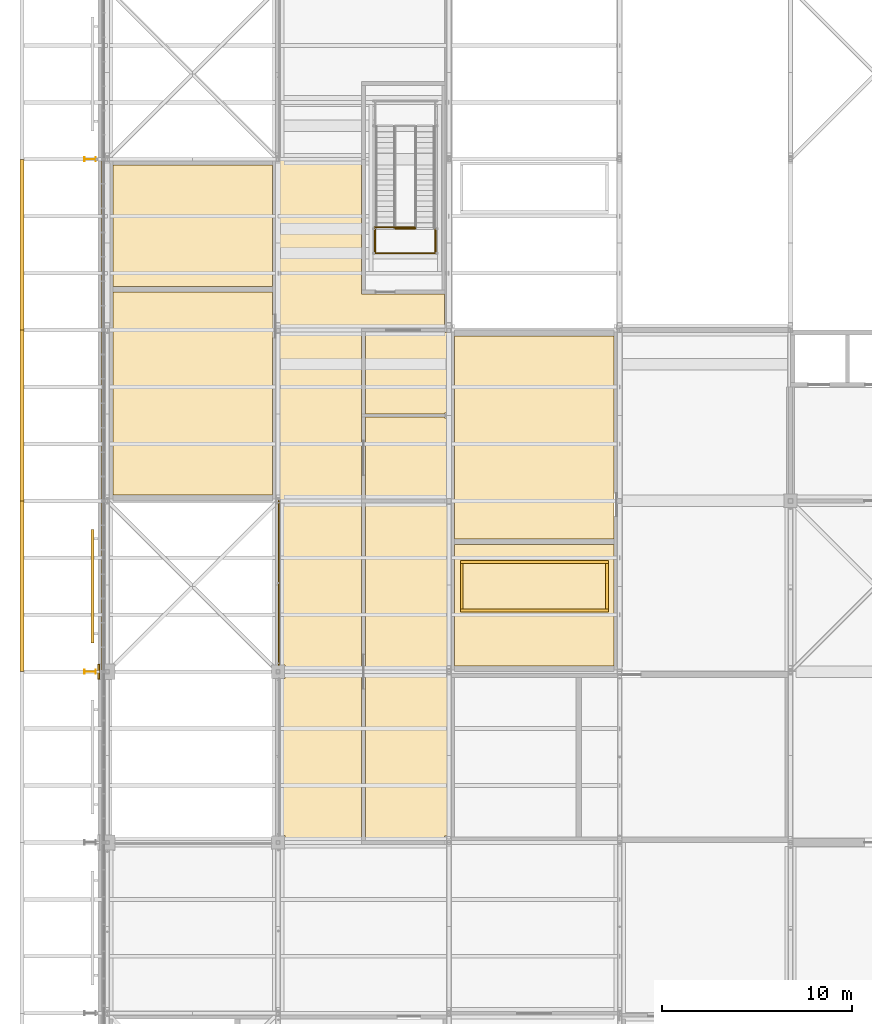
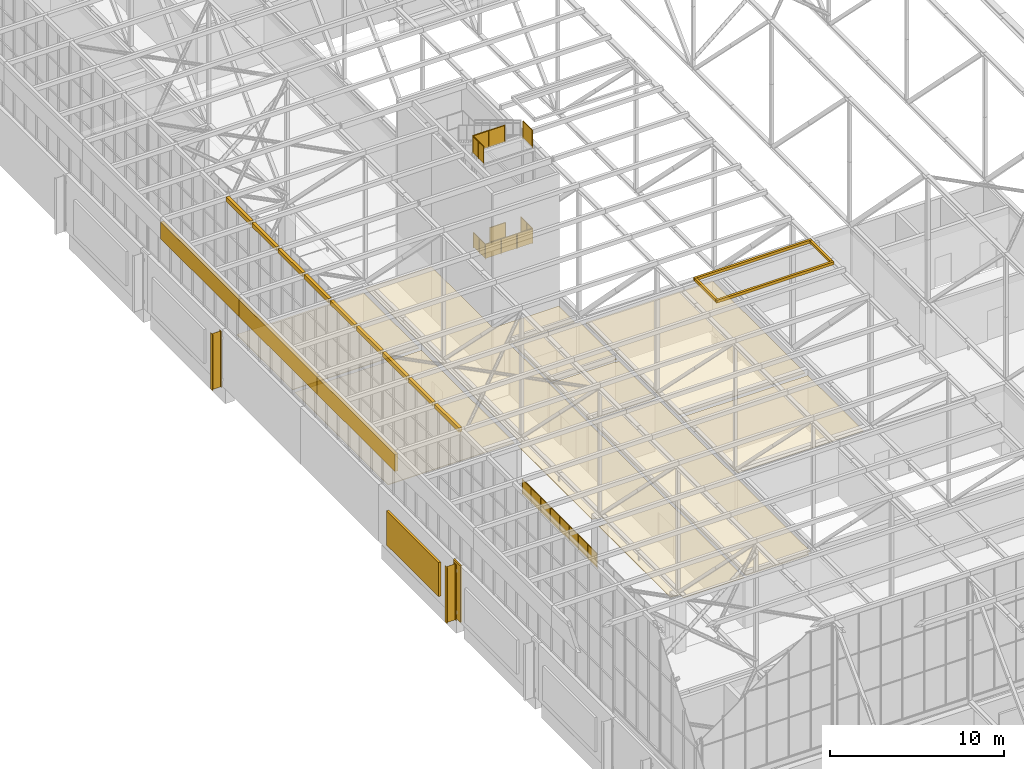
# One storey, part 630 of 646: 25 coverings, 5 railings, 3 shading devices.
"""IFC4 building model written with IfcOpenShell, lengths in metres."""

from ifc_helpers import new_model, si_unit, direction, frame, origin, origin_2d, place, context, subcontext, project, spatial, polyline, rectangle, circle, i_section, outline, extrude, material, layer, layer_set, material_profile, profile_set, type_object, element, save


model = new_model("IFC4")

# Units and contexts
model_context = context("Model", 3, precision=1e-05, world=origin(), true_north=direction((0.0, 1.0)))
body_context = subcontext(model_context, "Body", "Model", "MODEL_VIEW")
ifc_project = project(units=[si_unit("LENGTHUNIT", "METRE"), si_unit("AREAUNIT", "SQUARE_METRE"), si_unit("VOLUMEUNIT", "CUBIC_METRE"), si_unit("PLANEANGLEUNIT", "RADIAN"), si_unit("MASSUNIT", "GRAM", prefix="KILO")], contexts=[model_context])

# Site, building, storey
site_placement = place(None, origin())
site = spatial("IfcSite", under=ifc_project, at=site_placement, CompositionType="ELEMENT")
building_placement = place(site_placement, origin())
building = spatial("IfcBuilding", under=site, at=building_placement, Name="Silverbay Arena", CompositionType="ELEMENT")
storey_placement = place(building_placement, frame((0.0, 0.0, 33.5)))
storey = spatial("IfcBuildingStorey", under=building, at=storey_placement, Name="L05", CompositionType="ELEMENT", Elevation=33.5)

# Covering
ifc_material_1 = material(Name="Aluminium composite cladding", Category="aluminium")
ifc_layer_1 = layer(ifc_material_1, 0.10009765625)
ifc_layer_set_1 = layer_set([ifc_layer_1], Name="Aluminium composite cladding")
covering_type_1 = type_object("IfcCoveringType", Name="Column cladding 100", PredefinedType="CLADDING", material=ifc_layer_set_1)
covering_1_placement = place(storey_placement, origin())
element("IfcCovering", 1, at=covering_1_placement, inside=storey, type_object=covering_type_1, Name="West column cladding L05 7", PredefinedType="CLADDING", context=body_context, shape_type="SweptSolid", body=[
    extrude(outline(polyline([(53.5, 44.60009765625), (53.60009765625, 44.60009765625), (53.60009765625, 45.39990234375), (53.5, 45.39990234375), (53.5, 44.60009765625)])), origin(), (0.0, 0.0, 1.0), 4.0),
])

# Railings
ifc_material_2 = material(Name="Stainless steel", Category="steel")
railing_type_1 = type_object("IfcRailingType", Name="Fascia-mounted guard 1250 overall", PredefinedType="GUARDRAIL", material=ifc_material_2)
railing_1_placement = place(storey_placement, frame((68.0791015625, 67.14990234375, 13.449951171875)))
element("IfcRailing", 2, at=railing_1_placement, inside=storey, type_object=railing_type_1, Name="Stair RA1 L05 to ROOF landing 4 fascia guard", PredefinedType="GUARDRAIL", context=body_context, shape_type="SweptSolid", body=[
    extrude(circle(Radius=0.02392578125, at=origin_2d()), frame((0.0, 0.0, 1.22607421875), z_axis=(0.0, 1.0, 0.0), x_axis=(-1.0, 0.0, 0.0)), (0.0, 0.0, 1.0), 1.27099609375),
    extrude(outline(polyline([(-0.008056640625, 0.050048828125), (0.6435546875, 0.050048828125), (0.6435546875, 1.202880859375), (-0.008056640625, 1.202880859375), (-0.008056640625, 0.050048828125)])), frame((-0.0029296875, 0.0, 0.0), z_axis=(1.0, 0.0, 0.0), x_axis=(0.0, 1.0, 0.0)), (0.0, 0.0, 1.0), 0.006103515625),
    extrude(outline(polyline([(-0.008056640625, 0.050048828125), (0.6435546875, 0.050048828125), (0.6435546875, 1.202880859375), (-0.008056640625, 1.202880859375), (-0.008056640625, 0.050048828125)])), frame((-0.0029296875, 0.635498046875, 0.0), z_axis=(1.0, 0.0, 0.0), x_axis=(0.0, 1.0, 0.0)), (0.0, 0.0, 1.0), 0.006103515625),
    extrude(circle(Radius=0.02392578125, at=origin_2d()), frame((0.0, 1.27099609375, 1.22607421875), z_axis=(1.0, 0.0, 0.0), x_axis=(0.0, 1.0, 0.0)), (0.0, 0.0, 1.0), 2.14599609375),
    extrude(outline(polyline([(-0.008056640625, 0.050048828125), (1.0810546875, 0.050048828125), (1.0810546875, 1.202880859375), (-0.008056640625, 1.202880859375), (-0.008056640625, 0.050048828125)])), frame((0.0, 1.27392578125, 0.0), z_axis=(0.0, -1.0, 0.0), x_axis=(1.0, 0.0, 0.0)), (0.0, 0.0, 1.0), 0.006103515625),
    extrude(outline(polyline([(-0.008056640625, 0.050048828125), (1.0810546875, 0.050048828125), (1.0810546875, 1.202880859375), (-0.008056640625, 1.202880859375), (-0.008056640625, 0.050048828125)])), frame((1.072998046875, 1.27392578125, 0.0), z_axis=(0.0, -1.0, 0.0), x_axis=(1.0, 0.0, 0.0)), (0.0, 0.0, 1.0), 0.006103515625),
    extrude(circle(Radius=0.02099609375, at=origin_2d()), origin(), (0.0, 0.0, 1.0), 1.201904296875),
    extrude(circle(Radius=0.02099609375, at=origin_2d()), frame((0.0, 0.635498046875, 0.0)), (0.0, 0.0, 1.0), 1.201904296875),
    extrude(circle(Radius=0.02099609375, at=origin_2d()), frame((0.0, 1.27099609375, 0.0)), (0.0, 0.0, 1.0), 1.201904296875),
    extrude(circle(Radius=0.02099609375, at=origin_2d()), frame((1.072998046875, 1.27099609375, 0.0)), (0.0, 0.0, 1.0), 1.201904296875),
    extrude(circle(Radius=0.02099609375, at=origin_2d()), frame((2.14599609375, 1.27099609375, 0.0)), (0.0, 0.0, 1.0), 1.201904296875),
])
railing_2_placement = place(storey_placement, frame((71.321044921875, 68.25, 13.449951171875)))
element("IfcRailing", 3, at=railing_2_placement, inside=storey, type_object=railing_type_1, Name="Stair RA1 L05 to ROOF landing 4 fascia guard", PredefinedType="GUARDRAIL", context=body_context, shape_type="SweptSolid", body=[
    extrude(circle(Radius=0.02392578125, at=origin_2d()), frame((0.0, 0.0, 1.22607421875), z_axis=(0.0, -1.0, 0.0), x_axis=(1.0, 0.0, 0.0)), (0.0, 0.0, 1.0), 1.10009765625),
    extrude(outline(polyline([(-0.008056640625, 0.050048828125), (1.108154296875, 0.050048828125), (1.108154296875, 1.202880859375), (-0.008056640625, 1.202880859375), (-0.008056640625, 0.050048828125)])), frame((0.0029296875, 0.0, 0.0), z_axis=(-1.0, 0.0, 0.0), x_axis=(0.0, -1.0, 0.0)), (0.0, 0.0, 1.0), 0.006103515625),
    extrude(circle(Radius=0.02099609375, at=origin_2d()), origin(), (0.0, 0.0, 1.0), 1.201904296875),
    extrude(circle(Radius=0.02099609375, at=origin_2d()), frame((0.0, -1.10009765625, 0.0)), (0.0, 0.0, 1.0), 1.201904296875),
])

# Coverings
ifc_material_3 = material(Name="Fire-resisting board ceiling")
ifc_layer_2 = layer(ifc_material_3, 0.050048828125)
ifc_layer_set_2 = layer_set([ifc_layer_2], Name="Fire-resisting board ceiling")
covering_type_2 = type_object("IfcCoveringType", Name="Fire-resisting ceiling EI 120", PredefinedType="CEILING", material=ifc_layer_set_2)
covering_2_placement = place(storey_placement, frame((0.0, 0.0, 3.5)))
element("IfcCovering", 4, at=covering_2_placement, inside=storey, type_object=covering_type_2, Name="Fire-resisting ceiling 07", PredefinedType="CEILING", context=body_context, shape_type="SweptSolid", body=[
    extrude(outline(polyline([(62.72998046875, 44.590087890625), (62.72998046875, 36.409912109375), (62.97998046875, 36.409912109375), (62.97998046875, 36.360107421875), (63.360107421875, 36.360107421875), (63.360107421875, 35.97998046875), (67.39990234375, 35.97998046875), (67.39990234375, 63.074951171875), (71.77001953125, 63.074951171875), (71.77001953125, 64.89990234375), (67.39990234375, 64.89990234375), (67.39990234375, 72.02001953125), (63.030029296875, 72.02001953125), (63.030029296875, 53.969970703125), (62.97998046875, 53.969970703125), (62.97998046875, 53.93994140625), (62.72998046875, 53.93994140625), (62.72998046875, 45.409912109375), (62.97998046875, 45.409912109375), (62.97998046875, 45.360107421875), (63.360107421875, 45.360107421875), (63.360107421875, 44.639892578125), (62.97998046875, 44.639892578125), (62.97998046875, 44.590087890625), (62.72998046875, 44.590087890625)])), origin(), (0.0, 0.0, 1.0), 0.050048828125),
])
covering_3_placement = place(storey_placement, frame((0.0, 0.0, 3.5)))
element("IfcCovering", 5, at=covering_3_placement, inside=storey, type_object=covering_type_2, Name="Fire-resisting ceiling 23", PredefinedType="CEILING", context=body_context, shape_type="SweptSolid", body=[
    extrude(outline(polyline([(71.77001953125, 36.35205078125), (72.0, 36.35205078125), (72.0, 53.840087890625), (71.77001953125, 53.840087890625), (71.77001953125, 53.89990234375), (67.60009765625, 53.89990234375), (67.60009765625, 36.10009765625), (71.77001953125, 36.10009765625), (71.77001953125, 36.35205078125)])), origin(), (0.0, 0.0, 1.0), 0.050048828125),
])
covering_4_placement = place(storey_placement, frame((0.0, 0.0, 3.5)))
element("IfcCovering", 6, at=covering_4_placement, inside=storey, type_object=covering_type_2, Name="Fire-resisting ceiling 24", PredefinedType="CEILING", context=body_context, shape_type="SweptSolid", body=[
    extrude(outline(polyline([(71.77001953125, 54.159912109375), (72.0, 54.159912109375), (72.0, 58.364990234375), (71.77001953125, 58.364990234375), (71.77001953125, 58.425048828125), (67.60009765625, 58.425048828125), (67.60009765625, 54.10009765625), (71.77001953125, 54.10009765625), (71.77001953125, 54.159912109375)])), origin(), (0.0, 0.0, 1.0), 0.050048828125),
])
covering_5_placement = place(storey_placement, frame((0.0, 0.0, 3.5)))
element("IfcCovering", 7, at=covering_5_placement, inside=storey, type_object=covering_type_2, Name="Fire-resisting ceiling 25", PredefinedType="CEILING", context=body_context, shape_type="SweptSolid", body=[
    extrude(outline(polyline([(71.77001953125, 58.635009765625), (72.0, 58.635009765625), (72.0, 62.864990234375), (71.77001953125, 62.864990234375), (71.77001953125, 62.925048828125), (67.60009765625, 62.925048828125), (67.60009765625, 58.574951171875), (71.77001953125, 58.574951171875), (71.77001953125, 58.635009765625)])), origin(), (0.0, 0.0, 1.0), 0.050048828125),
])
covering_6_placement = place(storey_placement, frame((0.0, 0.0, 3.5)))
element("IfcCovering", 8, at=covering_6_placement, inside=storey, type_object=covering_type_2, Name="Fire-resisting ceiling 61", PredefinedType="CEILING", context=body_context, shape_type="SweptSolid", body=[
    extrude(outline(polyline([(54.300048828125, 54.300048828125), (62.699951171875, 54.300048828125), (62.699951171875, 65.0), (54.300048828125, 65.0), (54.300048828125, 54.300048828125)])), origin(), (0.0, 0.0, 1.0), 0.050048828125),
])
covering_7_placement = place(storey_placement, frame((0.0, 0.0, 3.5)))
element("IfcCovering", 9, at=covering_7_placement, inside=storey, type_object=covering_type_2, Name="Fire-resisting ceiling 62", PredefinedType="CEILING", context=body_context, shape_type="SweptSolid", body=[
    extrude(outline(polyline([(54.300048828125, 65.300048828125), (62.699951171875, 65.300048828125), (62.699951171875, 71.699951171875), (54.300048828125, 71.699951171875), (54.300048828125, 65.300048828125)])), origin(), (0.0, 0.0, 1.0), 0.050048828125),
])
covering_8_placement = place(storey_placement, frame((0.0, 0.0, 3.5)))
element("IfcCovering", 10, at=covering_8_placement, inside=storey, type_object=covering_type_2, Name="Fire-resisting ceiling 71", PredefinedType="CEILING", context=body_context, shape_type="SweptSolid", body=[
    extrude(outline(polyline([(80.699951171875, 52.0), (80.699951171875, 62.699951171875), (72.300048828125, 62.699951171875), (72.300048828125, 52.0), (80.699951171875, 52.0)])), origin(), (0.0, 0.0, 1.0), 0.050048828125),
])
covering_9_placement = place(storey_placement, frame((0.0, 0.0, 3.5)))
element("IfcCovering", 11, at=covering_9_placement, inside=storey, type_object=covering_type_2, Name="Fire-resisting ceiling 72", PredefinedType="CEILING", context=body_context, shape_type="SweptSolid", body=[
    extrude(outline(polyline([(80.699951171875, 45.300048828125), (80.699951171875, 51.699951171875), (72.300048828125, 51.699951171875), (72.300048828125, 45.300048828125), (80.699951171875, 45.300048828125)])), origin(), (0.0, 0.0, 1.0), 0.050048828125),
])
ifc_material_4 = material(Name="Insulated metal cladding panel")
ifc_layer_3 = layer(ifc_material_4, 0.199951171875)
ifc_layer_set_3 = layer_set([ifc_layer_3], Name="Insulated metal cladding panel")
covering_type_3 = type_object("IfcCoveringType", Name="Gable head closer 200", PredefinedType="CLADDING", material=ifc_layer_set_3)
covering_10_placement = place(storey_placement, frame((0.0, 0.0, 13.0)))
element("IfcCovering", 12, at=covering_10_placement, inside=storey, type_object=covering_type_3, Name="ROOF GABLE HEAD CLOSER west 13", PredefinedType="CLADDING", context=body_context, shape_type="SweptSolid", body=[
    extrude(outline(polyline([(53.68994140625, 45.10009765625), (53.889892578125, 45.10009765625), (53.889892578125, 47.89990234375), (53.68994140625, 47.89990234375), (53.68994140625, 45.10009765625)])), origin(), (0.0, 0.0, 1.0), 0.300048828125),
])
covering_11_placement = place(storey_placement, frame((0.0, 0.0, 13.0)))
element("IfcCovering", 13, at=covering_11_placement, inside=storey, type_object=covering_type_3, Name="ROOF GABLE HEAD CLOSER west 14", PredefinedType="CLADDING", context=body_context, shape_type="SweptSolid", body=[
    extrude(outline(polyline([(53.68994140625, 48.10009765625), (53.889892578125, 48.10009765625), (53.889892578125, 50.89990234375), (53.68994140625, 50.89990234375), (53.68994140625, 48.10009765625)])), origin(), (0.0, 0.0, 1.0), 0.300048828125),
])
covering_12_placement = place(storey_placement, frame((0.0, 0.0, 13.0)))
element("IfcCovering", 14, at=covering_12_placement, inside=storey, type_object=covering_type_3, Name="ROOF GABLE HEAD CLOSER west 15", PredefinedType="CLADDING", context=body_context, shape_type="SweptSolid", body=[
    extrude(outline(polyline([(53.68994140625, 51.10009765625), (53.889892578125, 51.10009765625), (53.889892578125, 53.89990234375), (53.68994140625, 53.89990234375), (53.68994140625, 51.10009765625)])), origin(), (0.0, 0.0, 1.0), 0.300048828125),
])
covering_13_placement = place(storey_placement, frame((0.0, 0.0, 13.0)))
element("IfcCovering", 15, at=covering_13_placement, inside=storey, type_object=covering_type_3, Name="ROOF GABLE HEAD CLOSER west 16", PredefinedType="CLADDING", context=body_context, shape_type="SweptSolid", body=[
    extrude(outline(polyline([(53.68994140625, 54.10009765625), (53.889892578125, 54.10009765625), (53.889892578125, 56.89990234375), (53.68994140625, 56.89990234375), (53.68994140625, 54.10009765625)])), origin(), (0.0, 0.0, 1.0), 0.300048828125),
])
covering_14_placement = place(storey_placement, frame((0.0, 0.0, 13.0)))
element("IfcCovering", 16, at=covering_14_placement, inside=storey, type_object=covering_type_3, Name="ROOF GABLE HEAD CLOSER west 17", PredefinedType="CLADDING", context=body_context, shape_type="SweptSolid", body=[
    extrude(outline(polyline([(53.68994140625, 57.10009765625), (53.889892578125, 57.10009765625), (53.889892578125, 59.89990234375), (53.68994140625, 59.89990234375), (53.68994140625, 57.10009765625)])), origin(), (0.0, 0.0, 1.0), 0.300048828125),
])
covering_15_placement = place(storey_placement, frame((0.0, 0.0, 13.0)))
element("IfcCovering", 17, at=covering_15_placement, inside=storey, type_object=covering_type_3, Name="ROOF GABLE HEAD CLOSER west 18", PredefinedType="CLADDING", context=body_context, shape_type="SweptSolid", body=[
    extrude(outline(polyline([(53.68994140625, 60.10009765625), (53.889892578125, 60.10009765625), (53.889892578125, 62.89990234375), (53.68994140625, 62.89990234375), (53.68994140625, 60.10009765625)])), origin(), (0.0, 0.0, 1.0), 0.300048828125),
])
covering_16_placement = place(storey_placement, frame((0.0, 0.0, 13.0)))
element("IfcCovering", 18, at=covering_16_placement, inside=storey, type_object=covering_type_3, Name="ROOF GABLE HEAD CLOSER west 19", PredefinedType="CLADDING", context=body_context, shape_type="SweptSolid", body=[
    extrude(outline(polyline([(53.68994140625, 63.10009765625), (53.889892578125, 63.10009765625), (53.889892578125, 65.89990234375), (53.68994140625, 65.89990234375), (53.68994140625, 63.10009765625)])), origin(), (0.0, 0.0, 1.0), 0.300048828125),
])
covering_17_placement = place(storey_placement, frame((0.0, 0.0, 13.0)))
element("IfcCovering", 19, at=covering_17_placement, inside=storey, type_object=covering_type_3, Name="ROOF GABLE HEAD CLOSER west 20", PredefinedType="CLADDING", context=body_context, shape_type="SweptSolid", body=[
    extrude(outline(polyline([(53.68994140625, 66.10009765625), (53.889892578125, 66.10009765625), (53.889892578125, 68.89990234375), (53.68994140625, 68.89990234375), (53.68994140625, 66.10009765625)])), origin(), (0.0, 0.0, 1.0), 0.300048828125),
])
covering_18_placement = place(storey_placement, frame((0.0, 0.0, 13.0)))
element("IfcCovering", 20, at=covering_18_placement, inside=storey, type_object=covering_type_3, Name="ROOF GABLE HEAD CLOSER west 21", PredefinedType="CLADDING", context=body_context, shape_type="SweptSolid", body=[
    extrude(outline(polyline([(53.68994140625, 69.10009765625), (53.889892578125, 69.10009765625), (53.889892578125, 71.89990234375), (53.68994140625, 71.89990234375), (53.68994140625, 69.10009765625)])), origin(), (0.0, 0.0, 1.0), 0.300048828125),
])

# Shading device
ifc_material_5 = material(Name="Aluminium", Category="aluminium")
shading_device_type_1 = type_object("IfcShadingDeviceType", Name="Louvre screen 6000 x 2400", PredefinedType="JALOUSIE", material=ifc_material_5)
shading_device_placement = place(storey_placement, frame((53.22509765625, 49.5, 0.800048828125), z_axis=(0.0, 0.0, 1.0), x_axis=(0.0, 1.0, 0.0)))
element("IfcShadingDevice", 21, at=shading_device_placement, inside=storey, type_object=shading_device_type_1, Name="West plant louvre L05 bay 4", PredefinedType="JALOUSIE", context=body_context, shape_type="SweptSolid", body=[
    extrude(rectangle(XDim=6.0, YDim=0.14990234375, at=origin_2d()), origin(), (0.0, 0.0, 1.0), 2.39990234375),
])

# Railing
ifc_material_6 = material(Name="Stainless steel", Category="steel")
railing_type_2 = type_object("IfcRailingType", Name="Opening guard 1100", PredefinedType="GUARDRAIL", material=ifc_material_6)
railing_3_placement = place(storey_placement, frame((63.0400390625, 45.35009765625, 0.0)))
element("IfcRailing", 22, at=railing_3_placement, inside=storey, type_object=railing_type_2, Name="Opening guard L05 end gallery W-inner edge", PredefinedType="GUARDRAIL", context=body_context, shape_type="SweptSolid", body=[
    extrude(circle(Radius=0.02392578125, at=origin_2d()), frame((0.0, 0.0, 1.076171875), z_axis=(0.0, 1.0, 0.0), x_axis=(-1.0, 0.0, 0.0)), (0.0, 0.0, 1.0), 8.64990234375),
    extrude(outline(polyline([(-0.008056640625, 0.050048828125), (1.08935546875, 0.050048828125), (1.08935546875, 1.052978515625), (-0.008056640625, 1.052978515625), (-0.008056640625, 0.050048828125)])), frame((-0.0029296875, 0.0, 0.0), z_axis=(1.0, 0.0, 0.0), x_axis=(0.0, 1.0, 0.0)), (0.0, 0.0, 1.0), 0.006103515625),
    extrude(outline(polyline([(-0.008056640625, 0.050048828125), (1.08935546875, 0.050048828125), (1.08935546875, 1.052978515625), (-0.008056640625, 1.052978515625), (-0.008056640625, 0.050048828125)])), frame((-0.0029296875, 1.081298828125, 0.0), z_axis=(1.0, 0.0, 0.0), x_axis=(0.0, 1.0, 0.0)), (0.0, 0.0, 1.0), 0.006103515625),
    extrude(outline(polyline([(-0.008056640625, 0.050048828125), (1.08935546875, 0.050048828125), (1.08935546875, 1.052978515625), (-0.008056640625, 1.052978515625), (-0.008056640625, 0.050048828125)])), frame((-0.0029296875, 2.16259765625, 0.0), z_axis=(1.0, 0.0, 0.0), x_axis=(0.0, 1.0, 0.0)), (0.0, 0.0, 1.0), 0.006103515625),
    extrude(outline(polyline([(-0.008056640625, 0.050048828125), (1.08935546875, 0.050048828125), (1.08935546875, 1.052978515625), (-0.008056640625, 1.052978515625), (-0.008056640625, 0.050048828125)])), frame((-0.0029296875, 3.24365234375, 0.0), z_axis=(1.0, 0.0, 0.0), x_axis=(0.0, 1.0, 0.0)), (0.0, 0.0, 1.0), 0.006103515625),
    extrude(outline(polyline([(-0.008056640625, 0.050048828125), (1.08935546875, 0.050048828125), (1.08935546875, 1.052978515625), (-0.008056640625, 1.052978515625), (-0.008056640625, 0.050048828125)])), frame((-0.0029296875, 4.324951171875, 0.0), z_axis=(1.0, 0.0, 0.0), x_axis=(0.0, 1.0, 0.0)), (0.0, 0.0, 1.0), 0.006103515625),
    extrude(outline(polyline([(-0.008056640625, 0.050048828125), (1.08935546875, 0.050048828125), (1.08935546875, 1.052978515625), (-0.008056640625, 1.052978515625), (-0.008056640625, 0.050048828125)])), frame((-0.0029296875, 5.40625, 0.0), z_axis=(1.0, 0.0, 0.0), x_axis=(0.0, 1.0, 0.0)), (0.0, 0.0, 1.0), 0.006103515625),
    extrude(outline(polyline([(-0.008056640625, 0.050048828125), (1.08935546875, 0.050048828125), (1.08935546875, 1.052978515625), (-0.008056640625, 1.052978515625), (-0.008056640625, 0.050048828125)])), frame((-0.0029296875, 6.4873046875, 0.0), z_axis=(1.0, 0.0, 0.0), x_axis=(0.0, 1.0, 0.0)), (0.0, 0.0, 1.0), 0.006103515625),
    extrude(outline(polyline([(-0.008056640625, 0.050048828125), (1.08935546875, 0.050048828125), (1.08935546875, 1.052978515625), (-0.008056640625, 1.052978515625), (-0.008056640625, 0.050048828125)])), frame((-0.0029296875, 7.568603515625, 0.0), z_axis=(1.0, 0.0, 0.0), x_axis=(0.0, 1.0, 0.0)), (0.0, 0.0, 1.0), 0.006103515625),
    extrude(circle(Radius=0.02099609375, at=origin_2d()), origin(), (0.0, 0.0, 1.0), 1.052001953125),
    extrude(circle(Radius=0.02099609375, at=origin_2d()), frame((0.0, 1.081298828125, 0.0)), (0.0, 0.0, 1.0), 1.052001953125),
    extrude(circle(Radius=0.02099609375, at=origin_2d()), frame((0.0, 2.16259765625, 0.0)), (0.0, 0.0, 1.0), 1.052001953125),
    extrude(circle(Radius=0.02099609375, at=origin_2d()), frame((0.0, 3.24365234375, 0.0)), (0.0, 0.0, 1.0), 1.052001953125),
    extrude(circle(Radius=0.02099609375, at=origin_2d()), frame((0.0, 4.324951171875, 0.0)), (0.0, 0.0, 1.0), 1.052001953125),
    extrude(circle(Radius=0.02099609375, at=origin_2d()), frame((0.0, 5.40625, 0.0)), (0.0, 0.0, 1.0), 1.052001953125),
    extrude(circle(Radius=0.02099609375, at=origin_2d()), frame((0.0, 6.4873046875, 0.0)), (0.0, 0.0, 1.0), 1.052001953125),
    extrude(circle(Radius=0.02099609375, at=origin_2d()), frame((0.0, 7.568603515625, 0.0)), (0.0, 0.0, 1.0), 1.052001953125),
    extrude(circle(Radius=0.02099609375, at=origin_2d()), frame((0.0, 8.64990234375, 0.0)), (0.0, 0.0, 1.0), 1.052001953125),
])

# Coverings
ifc_material_7 = material(Name="Insulated metal cladding panel")
ifc_layer_4 = layer(ifc_material_7, 0.199951171875)
ifc_layer_set_4 = layer_set([ifc_layer_4], Name="Insulated metal cladding panel")
covering_type_4 = type_object("IfcCoveringType", Name="Roof edge fascia 200", PredefinedType="CLADDING", material=ifc_layer_set_4)
covering_19_placement = place(storey_placement, frame((0.0, 0.0, 11.800048828125)))
element("IfcCovering", 23, at=covering_19_placement, inside=storey, type_object=covering_type_4, Name="ROOF EDGE FASCIA west bay 05", PredefinedType="CLADDING", context=body_context, shape_type="SweptSolid", body=[
    extrude(outline(polyline([(49.39990234375, 45.0), (49.60009765625, 45.0), (49.60009765625, 54.0), (49.39990234375, 54.0), (49.39990234375, 45.0)])), origin(), (0.0, 0.0, 1.0), 1.199951171875),
])
covering_20_placement = place(storey_placement, frame((0.0, 0.0, 11.800048828125)))
element("IfcCovering", 24, at=covering_20_placement, inside=storey, type_object=covering_type_4, Name="ROOF EDGE FASCIA west bay 06", PredefinedType="CLADDING", context=body_context, shape_type="SweptSolid", body=[
    extrude(outline(polyline([(49.39990234375, 54.0), (49.60009765625, 54.0), (49.60009765625, 63.0), (49.39990234375, 63.0), (49.39990234375, 54.0)])), origin(), (0.0, 0.0, 1.0), 1.199951171875),
])
covering_21_placement = place(storey_placement, frame((0.0, 0.0, 11.800048828125)))
element("IfcCovering", 25, at=covering_21_placement, inside=storey, type_object=covering_type_4, Name="ROOF EDGE FASCIA west bay 07", PredefinedType="CLADDING", context=body_context, shape_type="SweptSolid", body=[
    extrude(outline(polyline([(49.39990234375, 63.0), (49.60009765625, 63.0), (49.60009765625, 72.0), (49.39990234375, 72.0), (49.39990234375, 63.0)])), origin(), (0.0, 0.0, 1.0), 1.199951171875),
])
ifc_material_8 = material(Name="Insulated metal curb")
ifc_layer_5 = layer(ifc_material_8, 0.14990234375)
ifc_layer_set_5 = layer_set([ifc_layer_5], Name="Insulated metal curb")
covering_type_5 = type_object("IfcCoveringType", Name="Roof light curb 150", PredefinedType="CLADDING", material=ifc_layer_set_5)
covering_22_placement = place(storey_placement, frame((0.0, 0.0, 13.60009765625)))
element("IfcCovering", 26, at=covering_22_placement, inside=storey, type_object=covering_type_5, Name="ROOF LIGHT CURB 01 S", PredefinedType="CLADDING", context=body_context, shape_type="SweptSolid", body=[
    extrude(outline(polyline([(72.60009765625, 48.14990234375), (80.39990234375, 48.14990234375), (80.39990234375, 48.300048828125), (72.60009765625, 48.300048828125), (72.60009765625, 48.14990234375)])), origin(), (0.0, 0.0, 1.0), 0.199951171875),
])
covering_23_placement = place(storey_placement, frame((0.0, 0.0, 13.60009765625)))
element("IfcCovering", 27, at=covering_23_placement, inside=storey, type_object=covering_type_5, Name="ROOF LIGHT CURB 01 N", PredefinedType="CLADDING", context=body_context, shape_type="SweptSolid", body=[
    extrude(outline(polyline([(72.60009765625, 50.699951171875), (80.39990234375, 50.699951171875), (80.39990234375, 50.85009765625), (72.60009765625, 50.85009765625), (72.60009765625, 50.699951171875)])), origin(), (0.0, 0.0, 1.0), 0.199951171875),
])
covering_24_placement = place(storey_placement, frame((0.0, 0.0, 13.60009765625)))
element("IfcCovering", 28, at=covering_24_placement, inside=storey, type_object=covering_type_5, Name="ROOF LIGHT CURB 01 W", PredefinedType="CLADDING", context=body_context, shape_type="SweptSolid", body=[
    extrude(outline(polyline([(72.60009765625, 48.300048828125), (72.75, 48.300048828125), (72.75, 50.699951171875), (72.60009765625, 50.699951171875), (72.60009765625, 48.300048828125)])), origin(), (0.0, 0.0, 1.0), 0.199951171875),
])
covering_25_placement = place(storey_placement, frame((0.0, 0.0, 13.60009765625)))
element("IfcCovering", 29, at=covering_25_placement, inside=storey, type_object=covering_type_5, Name="ROOF LIGHT CURB 01 E", PredefinedType="CLADDING", context=body_context, shape_type="SweptSolid", body=[
    extrude(outline(polyline([(80.25, 48.300048828125), (80.39990234375, 48.300048828125), (80.39990234375, 50.699951171875), (80.25, 50.699951171875), (80.25, 48.300048828125)])), origin(), (0.0, 0.0, 1.0), 0.199951171875),
])

# Railings
ifc_material_9 = material(Name="Stainless steel", Category="steel")
railing_type_3 = type_object("IfcRailingType", Name="Stair guard 1100", PredefinedType="GUARDRAIL", material=ifc_material_9)
railing_4_placement = place(storey_placement, frame((68.125, 68.39990234375, 6.800048828125)))
element("IfcRailing", 30, at=railing_4_placement, inside=storey, type_object=railing_type_3, Name="Stair RA1 L05 to ROOF landing 2 guard", PredefinedType="GUARDRAIL", context=body_context, shape_type="SweptSolid", body=[
    extrude(circle(Radius=0.02392578125, at=origin_2d()), frame((0.0, 0.0, 1.076171875), z_axis=(0.0, -1.0, 0.0), x_axis=(1.0, 0.0, 0.0)), (0.0, 0.0, 1.0), 1.349853515625),
    extrude(outline(polyline([(-0.008056640625, 0.050048828125), (0.682861328125, 0.050048828125), (0.682861328125, 1.052978515625), (-0.008056640625, 1.052978515625), (-0.008056640625, 0.050048828125)])), frame((0.0029296875, 0.0, 0.0), z_axis=(-1.0, 0.0, 0.0), x_axis=(0.0, -1.0, 0.0)), (0.0, 0.0, 1.0), 0.006103515625),
    extrude(outline(polyline([(-0.008056640625, 0.050048828125), (0.682861328125, 0.050048828125), (0.682861328125, 1.052978515625), (-0.008056640625, 1.052978515625), (-0.008056640625, 0.050048828125)])), frame((0.0029296875, -0.6748046875, 0.0), z_axis=(-1.0, 0.0, 0.0), x_axis=(0.0, -1.0, 0.0)), (0.0, 0.0, 1.0), 0.006103515625),
    extrude(circle(Radius=0.02392578125, at=origin_2d()), frame((0.0, -1.349853515625, 1.076171875), z_axis=(1.0, 0.0, 0.0), x_axis=(0.0, 1.0, 0.0)), (0.0, 0.0, 1.0), 3.14990234375),
    extrude(outline(polyline([(-0.008056640625, 0.050048828125), (1.057861328125, 0.050048828125), (1.057861328125, 1.052978515625), (-0.008056640625, 1.052978515625), (-0.008056640625, 0.050048828125)])), frame((0.0, -1.346923828125, 0.0), z_axis=(0.0, -1.0, 0.0), x_axis=(1.0, 0.0, 0.0)), (0.0, 0.0, 1.0), 0.006103515625),
    extrude(outline(polyline([(-0.008056640625, 0.050048828125), (1.057861328125, 0.050048828125), (1.057861328125, 1.052978515625), (-0.008056640625, 1.052978515625), (-0.008056640625, 0.050048828125)])), frame((1.050048828125, -1.346923828125, 0.0), z_axis=(0.0, -1.0, 0.0), x_axis=(1.0, 0.0, 0.0)), (0.0, 0.0, 1.0), 0.006103515625),
    extrude(outline(polyline([(-0.008056640625, 0.050048828125), (1.057861328125, 0.050048828125), (1.057861328125, 1.052978515625), (-0.008056640625, 1.052978515625), (-0.008056640625, 0.050048828125)])), frame((2.099853515625, -1.346923828125, 0.0), z_axis=(0.0, -1.0, 0.0), x_axis=(1.0, 0.0, 0.0)), (0.0, 0.0, 1.0), 0.006103515625),
    extrude(circle(Radius=0.02392578125, at=origin_2d()), frame((3.14990234375, -1.349853515625, 1.076171875), z_axis=(0.0, 1.0, 0.0), x_axis=(-1.0, 0.0, 0.0)), (0.0, 0.0, 1.0), 1.349853515625),
    extrude(outline(polyline([(-0.008056640625, 0.050048828125), (0.682861328125, 0.050048828125), (0.682861328125, 1.052978515625), (-0.008056640625, 1.052978515625), (-0.008056640625, 0.050048828125)])), frame((3.14697265625, -1.349853515625, 0.0), z_axis=(1.0, 0.0, 0.0), x_axis=(0.0, 1.0, 0.0)), (0.0, 0.0, 1.0), 0.006103515625),
    extrude(outline(polyline([(-0.008056640625, 0.050048828125), (0.682861328125, 0.050048828125), (0.682861328125, 1.052978515625), (-0.008056640625, 1.052978515625), (-0.008056640625, 0.050048828125)])), frame((3.14697265625, -0.6748046875, 0.0), z_axis=(1.0, 0.0, 0.0), x_axis=(0.0, 1.0, 0.0)), (0.0, 0.0, 1.0), 0.006103515625),
    extrude(circle(Radius=0.02099609375, at=origin_2d()), origin(), (0.0, 0.0, 1.0), 1.052001953125),
    extrude(circle(Radius=0.02099609375, at=origin_2d()), frame((0.0, -0.6748046875, 0.0)), (0.0, 0.0, 1.0), 1.052001953125),
    extrude(circle(Radius=0.02099609375, at=origin_2d()), frame((0.0, -1.349853515625, 0.0)), (0.0, 0.0, 1.0), 1.052001953125),
    extrude(circle(Radius=0.02099609375, at=origin_2d()), frame((1.050048828125, -1.349853515625, 0.0)), (0.0, 0.0, 1.0), 1.052001953125),
    extrude(circle(Radius=0.02099609375, at=origin_2d()), frame((2.099853515625, -1.349853515625, 0.0)), (0.0, 0.0, 1.0), 1.052001953125),
    extrude(circle(Radius=0.02099609375, at=origin_2d()), frame((3.14990234375, -1.349853515625, 0.0)), (0.0, 0.0, 1.0), 1.052001953125),
    extrude(circle(Radius=0.02099609375, at=origin_2d()), frame((3.14990234375, -0.6748046875, 0.0)), (0.0, 0.0, 1.0), 1.052001953125),
    extrude(circle(Radius=0.02099609375, at=origin_2d()), frame((3.14990234375, 0.0, 0.0)), (0.0, 0.0, 1.0), 1.052001953125),
])
railing_5_placement = place(storey_placement, frame((69.175048828125, 68.35009765625, 6.800048828125)))
element("IfcRailing", 31, at=railing_5_placement, inside=storey, type_object=railing_type_3, Name="Stair RA1 L05 to ROOF landing 2 guard", PredefinedType="GUARDRAIL", context=body_context, shape_type="SweptSolid", body=[
    extrude(circle(Radius=0.02392578125, at=origin_2d()), frame((0.0, 0.0, 1.076171875), z_axis=(1.0, 0.0, 0.0), x_axis=(0.0, 1.0, 0.0)), (0.0, 0.0, 1.0), 1.050048828125),
    extrude(outline(polyline([(-0.008056640625, 0.050048828125), (1.05810546875, 0.050048828125), (1.05810546875, 1.052978515625), (-0.008056640625, 1.052978515625), (-0.008056640625, 0.050048828125)])), frame((0.0, 0.0029296875, 0.0), z_axis=(0.0, -1.0, 0.0), x_axis=(1.0, 0.0, 0.0)), (0.0, 0.0, 1.0), 0.006103515625),
    extrude(circle(Radius=0.02099609375, at=origin_2d()), origin(), (0.0, 0.0, 1.0), 1.052001953125),
    extrude(circle(Radius=0.02099609375, at=origin_2d()), frame((1.050048828125, 0.0, 0.0)), (0.0, 0.0, 1.0), 1.052001953125),
])

# Shading devices
ifc_material_10 = material(Name="Steel S355", Category="steel")
ifc_material_profile = material_profile(ifc_material_10, i_section(OverallWidth=0.2275390625, OverallDepth=0.6025390625, WebThickness=0.010498046875, FlangeThickness=0.014892578125, at=origin_2d()), Name="UB 610x229x101")
ifc_profile_set = profile_set([ifc_material_profile], Name="Steel S355")
shading_device_type_2 = type_object("IfcShadingDeviceType", Name="Steel fin UB 610x229x101", PredefinedType="USERDEFINED", material=ifc_profile_set)
for number, where, z_axis, x_axis, name in (
    (32, (53.0986328125, 45.0, 0.0), (0.0, 0.0, 1.0), (0.0, 1.0, 0.0), "Steel fin W L05 6"),
    (33, (53.0986328125, 72.0, 0.0), (0.0, 0.0, 1.0), (0.0, 1.0, 0.0), "Steel fin W L05 12"),
):
    element("IfcShadingDevice", number, at=place(storey_placement, frame(where, z_axis=z_axis, x_axis=x_axis)), inside=storey, type_object=shading_device_type_2, Name=name, ObjectType="FIN", PredefinedType="USERDEFINED", context=body_context, shape_type="SweptSolid", body=[
        extrude(i_section(OverallWidth=0.2275390625, OverallDepth=0.6025390625, WebThickness=0.010498046875, FlangeThickness=0.014892578125, at=origin_2d()), origin(), (0.0, 0.0, 1.0), 3.93994140625),
    ])

save(model, "model.ifc")
